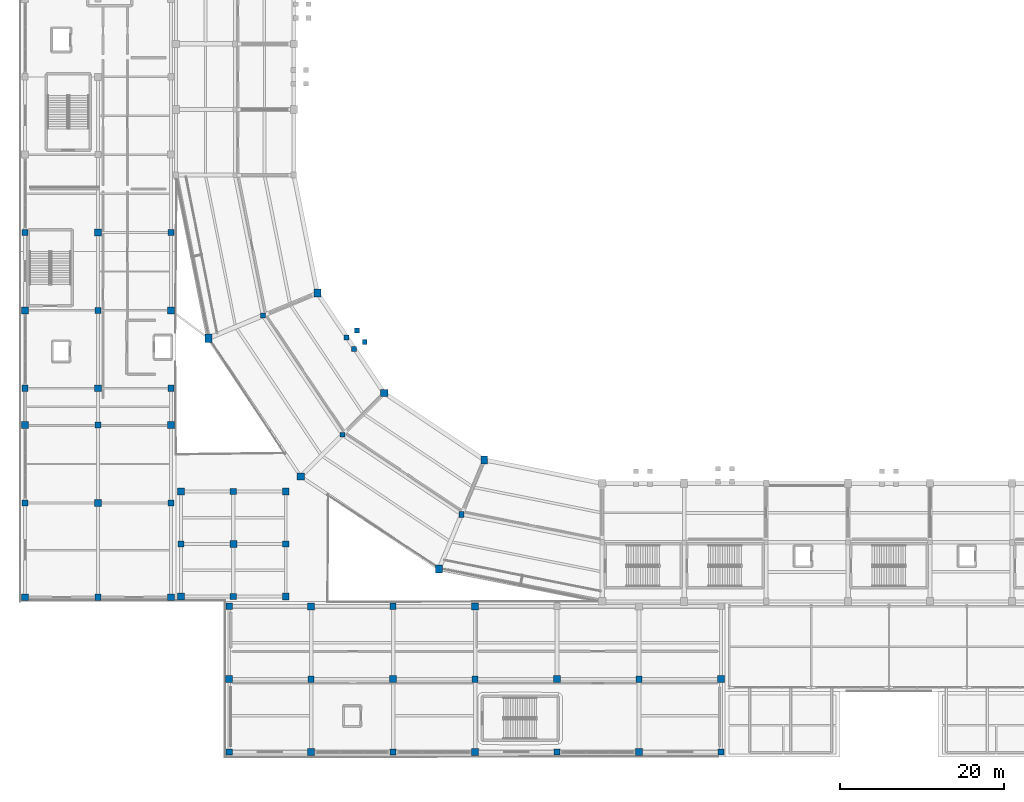
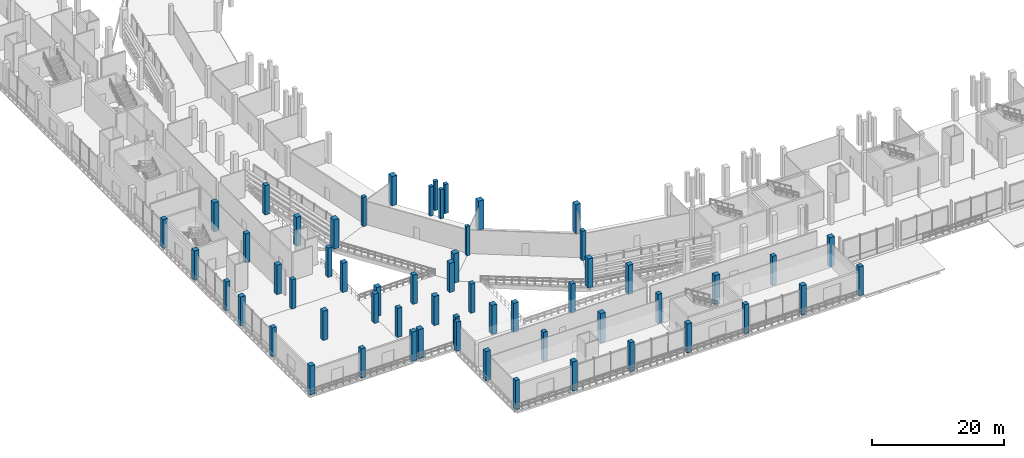
# One storey, part 1 of 114: 58 columns.
"""IFC4 building model written with IfcOpenShell, lengths in metres."""

from ifc_helpers import new_model, si_unit, direction, frame, origin, origin_2d, place, context, subcontext, project, spatial, rectangle, extrude, material, material_profile, profile_set, type_object, element, save


model = new_model("IFC4")

# Units and contexts
model_context = context("Model", 3, precision=1e-05, world=origin(), true_north=direction((0.0, 1.0)))
body_context = subcontext(model_context, "Body", "Model", "MODEL_VIEW")
ifc_project = project(units=[si_unit("LENGTHUNIT", "METRE"), si_unit("AREAUNIT", "SQUARE_METRE"), si_unit("VOLUMEUNIT", "CUBIC_METRE"), si_unit("PLANEANGLEUNIT", "RADIAN"), si_unit("MASSUNIT", "GRAM", prefix="KILO")], contexts=[model_context])

# Site, building, storey
site_placement = place(None, origin())
site = spatial("IfcSite", under=ifc_project, at=site_placement, CompositionType="ELEMENT")
building_placement = place(site_placement, origin())
building = spatial("IfcBuilding", under=site, at=building_placement, Name="Candeia Ridge Stadium", CompositionType="ELEMENT")
storey_placement = place(building_placement, frame((0.0, 0.0, 5.39990234375)))
storey = spatial("IfcBuildingStorey", under=building, at=storey_placement, Name="L01", CompositionType="ELEMENT", Elevation=5.39990234375)

# Columns
ifc_material_1 = material(Name="Concrete C45/55", Category="concrete")
ifc_material_profile_1 = material_profile(ifc_material_1, rectangle(XDim=0.89990234375, YDim=0.89990234375, at=origin_2d()), Name="RC900x900", Category="concrete")
ifc_profile_set_1 = profile_set([ifc_material_profile_1], Name="Concrete C45/55")
column_type_1 = type_object("IfcColumnType", Name="Bowl Spine Column RC900x900", PredefinedType="COLUMN", material=ifc_profile_set_1)
for number, where, z_axis, x_axis, name in (
    (1, (44.412841796875, 44.412841796875, 0.0), (0.0, 0.0, 1.0), (1.0, 0.0, 0.0), "Structural column BC-MD-16 L01"),
    (2, (34.23046875, 34.23046875, 0.0), (0.0, 0.0, 1.0), (1.0, 0.0, 0.0), "Structural column BC-OU-16 L01"),
):
    element("IfcColumn", number, at=place(storey_placement, frame(where, z_axis=z_axis, x_axis=x_axis)), inside=storey, type_object=column_type_1, Name=name, PredefinedType="COLUMN", context=body_context, shape_type="SweptSolid", body=[
        extrude(rectangle(XDim=0.89990234375, YDim=0.89990234375, at=origin_2d()), origin(), (0.0, 0.0, 1.0), 5.400146484375),
    ])
ifc_material_2 = material(Name="Concrete C40/50", Category="concrete")
ifc_material_profile_2 = material_profile(ifc_material_2, rectangle(XDim=0.580078125, YDim=0.580078125, at=origin_2d()), Name="RC580x580", Category="concrete")
ifc_profile_set_2 = profile_set([ifc_material_profile_2], Name="Concrete C40/50")
column_type_2 = type_object("IfcColumnType", Name="Graduated Frame Column RC580x580", PredefinedType="COLUMN", material=ifc_profile_set_2)
column_1_placement = place(storey_placement, frame((39.321533203125, 39.321533203125, 0.0), z_axis=(0.0, 0.0, 1.0), x_axis=(1.0, 0.0, 0.0)))
element("IfcColumn", 3, at=column_1_placement, inside=storey, type_object=column_type_2, Name="Structural column BC-M2-16 L01", PredefinedType="COLUMN", context=body_context, shape_type="SweptSolid", body=[
    extrude(rectangle(XDim=0.580078125, YDim=0.580078125, at=origin_2d()), origin(), (0.0, 0.0, 1.0), 5.400146484375),
])
ifc_material_profile_3 = material_profile(ifc_material_2, rectangle(XDim=0.6201171875, YDim=0.6201171875, at=origin_2d()), Name="RC620x620", Category="concrete")
ifc_profile_set_3 = profile_set([ifc_material_profile_3], Name="Concrete C40/50")
column_type_3 = type_object("IfcColumnType", Name="Graduated Frame Column RC620x620", PredefinedType="COLUMN", material=ifc_profile_set_3)
column_2_placement = place(storey_placement, frame((29.610107421875, 53.855712890625, 0.0), z_axis=(0.0, 0.0, 1.0), x_axis=(1.0, 0.0, 0.0)))
element("IfcColumn", 4, at=column_2_placement, inside=storey, type_object=column_type_3, Name="Structural column BC-M2-15 L01", PredefinedType="COLUMN", context=body_context, shape_type="SweptSolid", body=[
    extrude(rectangle(XDim=0.6201171875, YDim=0.6201171875, at=origin_2d()), origin(), (0.0, 0.0, 1.0), 5.400146484375),
])
ifc_material_profile_4 = material_profile(ifc_material_2, rectangle(XDim=0.6201171875, YDim=0.719970703125, at=origin_2d()), Name="RC620x720", Category="concrete")
ifc_profile_set_4 = profile_set([ifc_material_profile_4], Name="Concrete C40/50")
column_type_4 = type_object("IfcColumnType", Name="Graduated Frame Column RC620x720", PredefinedType="COLUMN", material=ifc_profile_set_4)
column_3_placement = place(storey_placement, frame((53.855712890625, 29.610107421875, 0.0), z_axis=(0.0, 0.0, 1.0), x_axis=(1.0, 0.0, 0.0)))
element("IfcColumn", 5, at=column_3_placement, inside=storey, type_object=column_type_4, Name="Structural column BC-M2-17 L01", PredefinedType="COLUMN", context=body_context, shape_type="SweptSolid", body=[
    extrude(rectangle(XDim=0.6201171875, YDim=0.719970703125, at=origin_2d()), origin(), (0.0, 0.0, 1.0), 5.400146484375),
])
ifc_material_profile_5 = material_profile(ifc_material_1, rectangle(XDim=0.820068359375, YDim=0.949951171875, at=origin_2d()), Name="RC820x950", Category="concrete")
ifc_profile_set_5 = profile_set([ifc_material_profile_5], Name="Concrete C45/55")
column_type_5 = type_object("IfcColumnType", Name="Graduated Frame Column RC820x950", PredefinedType="COLUMN", material=ifc_profile_set_5)
for number, where, z_axis, x_axis, name in (
    (6, (56.611083984375, 36.26220703125, 0.0), (0.0, 0.0, 1.0), (1.0, 0.0, 0.0), "Structural column BC-MD-17 L01"),
    (7, (51.100341796875, 22.958251953125, 0.0), (0.0, 0.0, 1.0), (1.0, 0.0, 0.0), "Structural column BC-OU-17 L01"),
):
    element("IfcColumn", number, at=place(storey_placement, frame(where, z_axis=z_axis, x_axis=x_axis)), inside=storey, type_object=column_type_5, Name=name, PredefinedType="COLUMN", context=body_context, shape_type="SweptSolid", body=[
        extrude(rectangle(XDim=0.820068359375, YDim=0.949951171875, at=origin_2d()), origin(), (0.0, 0.0, 1.0), 5.400146484375),
    ])
ifc_material_profile_6 = material_profile(ifc_material_2, rectangle(XDim=0.75, YDim=0.75, at=origin_2d()), Name="RC750x750", Category="concrete")
ifc_profile_set_6 = profile_set([ifc_material_profile_6], Name="Concrete C40/50")
column_type_6 = type_object("IfcColumnType", Name="Reinforced Concrete Column RC750x750", PredefinedType="COLUMN", material=ifc_profile_set_6)
for number, where, z_axis, x_axis, name in (
    (8, (0.60009765625, 31.0, 0.0), (0.0, 0.0, 1.0), (1.0, 0.0, 0.0), "Structural column WP-00-01 L01"),
    (9, (0.60009765625, 45.0, 0.0), (0.0, 0.0, 1.0), (1.0, 0.0, 0.0), "Structural column WP-00-03 L01"),
    (10, (0.60009765625, 64.0, 0.0), (0.0, 0.0, 1.0), (1.0, 0.0, 0.0), "Structural column WP-00-05 L01"),
    (11, (9.5, 19.5, 0.0), (0.0, 0.0, 1.0), (1.0, 0.0, 0.0), "Structural column WP-01-00 L01"),
    (12, (9.5, 40.5, 0.0), (0.0, 0.0, 1.0), (1.0, 0.0, 0.0), "Structural column WP-01-02 L01"),
    (13, (9.5, 54.5, 0.0), (0.0, 0.0, 1.0), (1.0, 0.0, 0.0), "Structural column WP-01-04 L01"),
    (14, (18.39990234375, 31.0, 0.0), (0.0, 0.0, 1.0), (1.0, 0.0, 0.0), "Structural column WP-02-01 L01"),
    (15, (18.39990234375, 45.0, 0.0), (0.0, 0.0, 1.0), (1.0, 0.0, 0.0), "Structural column WP-02-03 L01"),
    (16, (18.39990234375, 64.0, 0.0), (0.0, 0.0, 1.0), (1.0, 0.0, 0.0), "Structural column WP-02-05 L01"),
    (17, (25.5, 0.60009765625, 0.0), (0.0, 0.0, 1.0), (1.0, 0.0, 0.0), "Structural column SWW-00-00 L01"),
    (18, (25.5, 18.39990234375, 0.0), (0.0, 0.0, 1.0), (1.0, 0.0, 0.0), "Structural column SWW-00-02 L01"),
    (19, (35.5, 9.5, 0.0), (0.0, 0.0, 1.0), (1.0, 0.0, 0.0), "Structural column SWW-01-01 L01"),
    (20, (45.5, 0.60009765625, 0.0), (0.0, 0.0, 1.0), (1.0, 0.0, 0.0), "Structural column SWW-02-00 L01"),
    (21, (45.5, 18.39990234375, 0.0), (0.0, 0.0, 1.0), (1.0, 0.0, 0.0), "Structural column SWW-02-02 L01"),
    (22, (55.5, 9.5, 0.0), (0.0, 0.0, 1.0), (1.0, 0.0, 0.0), "Structural column SWW-03-01 L01"),
    (23, (65.5, 0.60009765625, 0.0), (0.0, 0.0, 1.0), (1.0, 0.0, 0.0), "Structural column SWW-04-00 L01"),
    (24, (75.5, 9.5, 0.0), (0.0, 0.0, 1.0), (1.0, 0.0, 0.0), "Structural column SWW-05-01 L01"),
    (25, (85.5, 0.60009765625, 0.0), (0.0, 0.0, 1.0), (1.0, 0.0, 0.0), "Structural column SWW-06-00 L01"),
    (26, (19.60009765625, 26.0, 0.0), (0.0, 0.0, 1.0), (1.0, 0.0, 0.0), "Structural column SPSW-00-01 L01"),
    (27, (26.0, 19.60009765625, 0.0), (0.0, 0.0, 1.0), (1.0, 0.0, 0.0), "Structural column SPSW-01-00 L01"),
    (28, (26.0, 32.39990234375, 0.0), (0.0, 0.0, 1.0), (1.0, 0.0, 0.0), "Structural column SPSW-01-02 L01"),
    (29, (32.39990234375, 26.0, 0.0), (0.0, 0.0, 1.0), (1.0, 0.0, 0.0), "Structural column SPSW-02-01 L01"),
):
    element("IfcColumn", number, at=place(storey_placement, frame(where, z_axis=z_axis, x_axis=x_axis)), inside=storey, type_object=column_type_6, Name=name, PredefinedType="COLUMN", context=body_context, shape_type="SweptSolid", body=[
        extrude(rectangle(XDim=0.75, YDim=0.75, at=origin_2d()), origin(), (0.0, 0.0, 1.0), 5.400146484375),
    ])
ifc_material_profile_7 = material_profile(ifc_material_1, rectangle(XDim=0.85009765625, YDim=1.0, at=origin_2d()), Name="RC850x1000", Category="concrete")
ifc_profile_set_7 = profile_set([ifc_material_profile_7], Name="Concrete C45/55")
column_type_7 = type_object("IfcColumnType", Name="Reinforced Concrete Column RC850x1000", PredefinedType="COLUMN", material=ifc_profile_set_7)
for number, where, z_axis, x_axis, name in (
    (30, (36.26220703125, 56.611083984375, 0.0), (0.0, 0.0, 1.0), (1.0, 0.0, 0.0), "Structural column BC-MD-15 L01"),
    (31, (22.958251953125, 51.100341796875, 0.0), (0.0, 0.0, 1.0), (1.0, 0.0, 0.0), "Structural column BC-OU-15 L01"),
):
    element("IfcColumn", number, at=place(storey_placement, frame(where, z_axis=z_axis, x_axis=x_axis)), inside=storey, type_object=column_type_7, Name=name, PredefinedType="COLUMN", context=body_context, shape_type="SweptSolid", body=[
        extrude(rectangle(XDim=0.85009765625, YDim=1.0, at=origin_2d()), origin(), (0.0, 0.0, 1.0), 5.400146484375),
    ])
ifc_material_profile_8 = material_profile(ifc_material_1, rectangle(XDim=0.85009765625, YDim=0.85009765625, at=origin_2d()), Name="RC850x850", Category="concrete")
ifc_profile_set_8 = profile_set([ifc_material_profile_8], Name="Concrete C45/55")
column_type_8 = type_object("IfcColumnType", Name="Reinforced Concrete Column RC850x850", PredefinedType="COLUMN", material=ifc_profile_set_8)
for number, where, z_axis, x_axis, name in (
    (32, (0.60009765625, 19.5, 0.0), (0.0, 0.0, 1.0), (1.0, 0.0, 0.0), "Structural column WP-00-00 L01"),
    (33, (0.60009765625, 40.5, 0.0), (0.0, 0.0, 1.0), (1.0, 0.0, 0.0), "Structural column WP-00-02 L01"),
    (34, (0.60009765625, 54.5, 0.0), (0.0, 0.0, 1.0), (1.0, 0.0, 0.0), "Structural column WP-00-04 L01"),
    (35, (9.5, 31.0, 0.0), (0.0, 0.0, 1.0), (1.0, 0.0, 0.0), "Structural column WP-01-01 L01"),
    (36, (9.5, 45.0, 0.0), (0.0, 0.0, 1.0), (1.0, 0.0, 0.0), "Structural column WP-01-03 L01"),
    (37, (9.5, 64.0, 0.0), (0.0, 0.0, 1.0), (1.0, 0.0, 0.0), "Structural column WP-01-05 L01"),
    (38, (18.39990234375, 19.5, 0.0), (0.0, 0.0, 1.0), (1.0, 0.0, 0.0), "Structural column WP-02-00 L01"),
    (39, (18.39990234375, 40.5, 0.0), (0.0, 0.0, 1.0), (1.0, 0.0, 0.0), "Structural column WP-02-02 L01"),
    (40, (18.39990234375, 54.5, 0.0), (0.0, 0.0, 1.0), (1.0, 0.0, 0.0), "Structural column WP-02-04 L01"),
    (41, (25.5, 9.5, 0.0), (0.0, 0.0, 1.0), (1.0, 0.0, 0.0), "Structural column SWW-00-01 L01"),
    (42, (35.5, 0.60009765625, 0.0), (0.0, 0.0, 1.0), (1.0, 0.0, 0.0), "Structural column SWW-01-00 L01"),
    (43, (35.5, 18.39990234375, 0.0), (0.0, 0.0, 1.0), (1.0, 0.0, 0.0), "Structural column SWW-01-02 L01"),
    (44, (45.5, 9.5, 0.0), (0.0, 0.0, 1.0), (1.0, 0.0, 0.0), "Structural column SWW-02-01 L01"),
    (45, (55.5, 0.60009765625, 0.0), (0.0, 0.0, 1.0), (1.0, 0.0, 0.0), "Structural column SWW-03-00 L01"),
    (46, (55.5, 18.39990234375, 0.0), (0.0, 0.0, 1.0), (1.0, 0.0, 0.0), "Structural column SWW-03-02 L01"),
    (47, (65.5, 9.5, 0.0), (0.0, 0.0, 1.0), (1.0, 0.0, 0.0), "Structural column SWW-04-01 L01"),
    (48, (75.5, 0.60009765625, 0.0), (0.0, 0.0, 1.0), (1.0, 0.0, 0.0), "Structural column SWW-05-00 L01"),
    (49, (85.5, 9.5, 0.0), (0.0, 0.0, 1.0), (1.0, 0.0, 0.0), "Structural column SWW-06-01 L01"),
    (50, (19.60009765625, 19.60009765625, 0.0), (0.0, 0.0, 1.0), (1.0, 0.0, 0.0), "Structural column SPSW-00-00 L01"),
    (51, (19.60009765625, 32.39990234375, 0.0), (0.0, 0.0, 1.0), (1.0, 0.0, 0.0), "Structural column SPSW-00-02 L01"),
    (52, (26.0, 26.0, 0.0), (0.0, 0.0, 1.0), (1.0, 0.0, 0.0), "Structural column SPSW-01-01 L01"),
    (53, (32.39990234375, 19.60009765625, 0.0), (0.0, 0.0, 1.0), (1.0, 0.0, 0.0), "Structural column SPSW-02-00 L01"),
    (54, (32.39990234375, 32.39990234375, 0.0), (0.0, 0.0, 1.0), (1.0, 0.0, 0.0), "Structural column SPSW-02-02 L01"),
):
    element("IfcColumn", number, at=place(storey_placement, frame(where, z_axis=z_axis, x_axis=x_axis)), inside=storey, type_object=column_type_8, Name=name, PredefinedType="COLUMN", context=body_context, shape_type="SweptSolid", body=[
        extrude(rectangle(XDim=0.85009765625, YDim=0.85009765625, at=origin_2d()), origin(), (0.0, 0.0, 1.0), 5.400146484375),
    ])
ifc_material_profile_9 = material_profile(ifc_material_2, rectangle(XDim=0.60009765625, YDim=0.60009765625, at=origin_2d()), Name="RC600x600", Category="concrete")
ifc_profile_set_9 = profile_set([ifc_material_profile_9], Name="Concrete C40/50")
column_type_9 = type_object("IfcColumnType", Name="Wing Column RC600x600", PredefinedType="COLUMN", material=ifc_profile_set_9)
for number, where, z_axis, x_axis, name in (
    (55, (40.748291015625, 49.76416015625, 0.0), (0.0, 0.0, 1.0), (1.0, 0.0, 0.0), "Vomitory VS30 landing support column 1 L01"),
    (56, (42.037109375, 50.62548828125, 0.0), (0.0, 0.0, 1.0), (1.0, 0.0, 0.0), "Vomitory VS30 landing support column 2 L01"),
    (57, (41.0927734375, 52.038818359375, 0.0), (0.0, 0.0, 1.0), (1.0, 0.0, 0.0), "Vomitory VS30 landing support column 3 L01"),
    (58, (39.803955078125, 51.177734375, 0.0), (0.0, 0.0, 1.0), (1.0, 0.0, 0.0), "Vomitory VS30 landing support column 4 L01"),
):
    element("IfcColumn", number, at=place(storey_placement, frame(where, z_axis=z_axis, x_axis=x_axis)), inside=storey, type_object=column_type_9, Name=name, PredefinedType="COLUMN", context=body_context, shape_type="SweptSolid", body=[
        extrude(rectangle(XDim=0.60009765625, YDim=0.60009765625, at=origin_2d()), origin(), (0.0, 0.0, 1.0), 5.400146484375),
    ])

save(model, "model.ifc")
